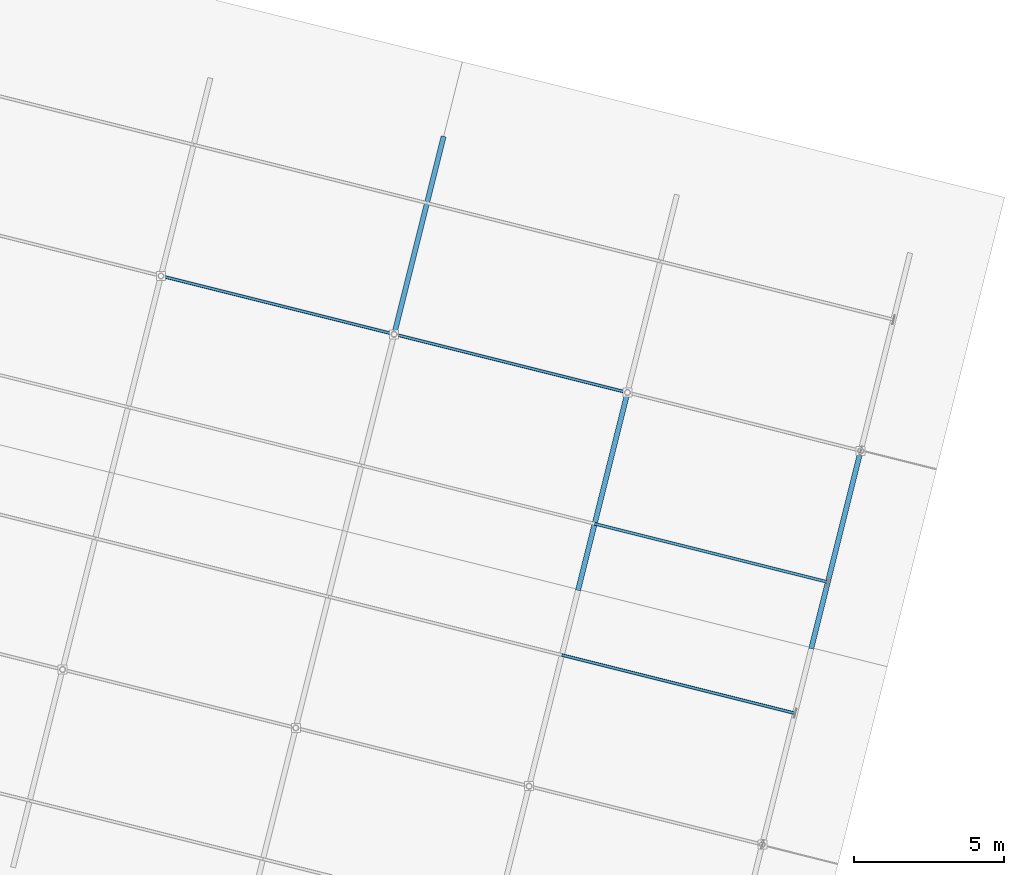
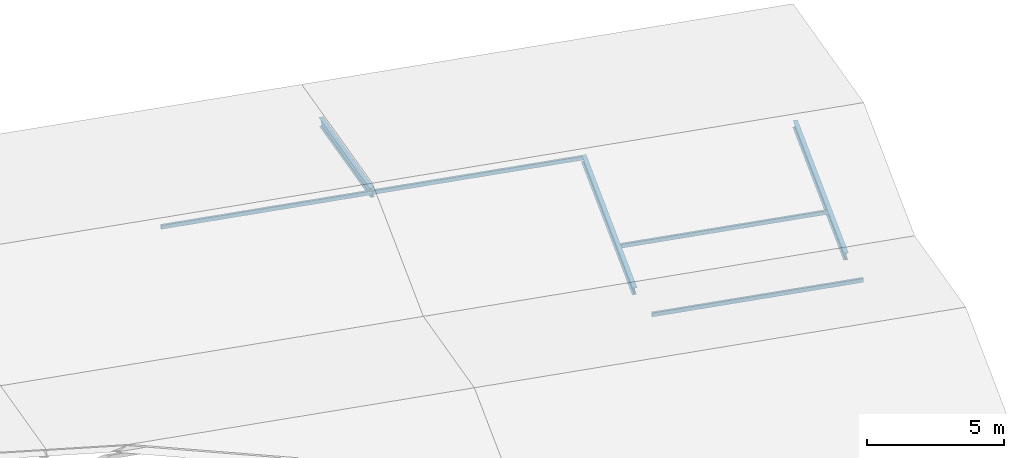
# One storey, part 66 of 107: 7 members.
"""IFC4 building model written with IfcOpenShell, lengths in metres."""

from ifc_helpers import new_model, si_unit, derived_unit, direction, frame, origin, origin_2d, place, context, subcontext, project, spatial, hollow_rectangle, i_section, extrude, material, material_profile, profile_set, type_object, element, save


model = new_model("IFC4")

# Units and contexts
model_context = context("Model", 3, precision=1e-05, world=origin(), true_north=direction((0.0, 1.0)))
body_context = subcontext(model_context, "Body", "Model", "MODEL_VIEW")
ifc_project = project(units=[si_unit("LENGTHUNIT", "METRE"), si_unit("AREAUNIT", "SQUARE_METRE"), si_unit("VOLUMEUNIT", "CUBIC_METRE"), si_unit("PLANEANGLEUNIT", "RADIAN"), si_unit("MASSUNIT", "GRAM", prefix="KILO"), si_unit("THERMODYNAMICTEMPERATUREUNIT", "KELVIN"), si_unit("TIMEUNIT", "SECOND"), derived_unit("THERMALTRANSMITTANCEUNIT", [(si_unit("MASSUNIT", "GRAM", prefix="KILO"), 1), (si_unit("THERMODYNAMICTEMPERATUREUNIT", "KELVIN"), -1), (si_unit("TIMEUNIT", "SECOND"), -3)])], contexts=[model_context])

# Site, building, storey
site_placement = place(None, origin())
site = spatial("IfcSite", under=ifc_project, at=site_placement, CompositionType="ELEMENT")
building_placement = place(site_placement, origin())
building = spatial("IfcBuilding", under=site, at=building_placement, Name="Cambertide Market Hall", CompositionType="ELEMENT")
storey_placement = place(building_placement, frame((0.0, 0.0, 18.300048828125)))
storey = spatial("IfcBuildingStorey", under=building, at=storey_placement, Name="RF", CompositionType="ELEMENT", Elevation=18.300048828125)

# Members
ifc_material_1 = material(Name="Steel S355", Category="steel")
ifc_material_profile_1 = material_profile(ifc_material_1, i_section(OverallWidth=0.169921875, OverallDepth=0.360107421875, WebThickness=0.008056640625, FlangeThickness=0.0126953125, FilletRadius=0.01806640625, at=origin_2d()), Name="IPE 360")
ifc_profile_set_1 = profile_set([ifc_material_profile_1], Name="Steel S355")
member_type_1 = type_object("IfcMemberType", Name="Radial Fan Rafter IPE 360", PredefinedType="RAFTER", material=ifc_profile_set_1)
for number, where, z_axis, x_axis, name in (
    (1, (159.478271484375, 108.003662109375, 1.003173828125), (0.237641829002, 0.950673643448, -0.199363950505), (-0.970148882494, 0.242510094215, 0.0), "RAF-V4-7-4"),
    (2, (165.602294921875, 99.514892578125, -0.3701171875), (0.237641829002, 0.950673643448, 0.199363950505), (-0.970148882494, 0.242510094215, 0.0), "RAF-V4-8-3"),
):
    element("IfcMember", number, at=place(storey_placement, frame(where, z_axis=z_axis, x_axis=x_axis)), inside=storey, type_object=member_type_1, Name=name, PredefinedType="RAFTER", context=body_context, shape_type="SweptSolid", body=[
        extrude(i_section(OverallWidth=0.169921875, OverallDepth=0.360107421875, WebThickness=0.008056640625, FlangeThickness=0.0126953125, FilletRadius=0.01806640625, at=origin_2d()), origin(), (0.0, 0.0, 1.0), 6.888427734375),
    ])
member_1_placement = place(storey_placement, frame((173.36328125, 97.57470703125, -0.3701171875), z_axis=(0.2376832779, 0.950662224848, 0.199368988695), x_axis=(-0.970138244761, 0.242552645939, 0.0)))
element("IfcMember", 3, at=member_1_placement, inside=storey, type_object=member_type_1, Name="RAF-V4-9-3", PredefinedType="RAFTER", context=body_context, shape_type="SweptSolid", body=[
    extrude(i_section(OverallWidth=0.169921875, OverallDepth=0.360107421875, WebThickness=0.008056640625, FlangeThickness=0.0126953125, FilletRadius=0.01806640625, at=origin_2d()), origin(), (0.0, 0.0, 1.0), 6.88818359375),
])
ifc_material_2 = material(Name="Steel S275", Category="steel")
ifc_material_profile_2 = material_profile(ifc_material_2, hollow_rectangle(XDim=0.10009765625, YDim=0.179931640625, WallThickness=0.00634765625, InnerFilletRadius=0.00634765625, OuterFilletRadius=0.0126953125, at=origin_2d()), Name="RHS 180x100x6.3")
ifc_profile_set_2 = profile_set([ifc_material_profile_2], Name="Steel S275")
member_type_2 = type_object("IfcMemberType", Name="Roof Purlin RHS 180x100x6.3", PredefinedType="PURLIN", material=ifc_profile_set_2)
member_2_placement = place(storey_placement, frame((151.717041015625, 109.94384765625, 1.033203125), z_axis=(0.970146090314, -0.242521263911, 0.0), x_axis=(0.242521263911, 0.970146090314, 0.0)))
element("IfcMember", 4, at=member_2_placement, inside=storey, type_object=member_type_2, Name="PUR-V4-6-202", PredefinedType="PURLIN", context=body_context, shape_type="SweptSolid", body=[
    extrude(hollow_rectangle(XDim=0.10009765625, YDim=0.179931640625, WallThickness=0.00634765625, InnerFilletRadius=0.00634765625, OuterFilletRadius=0.0126953125, at=origin_2d()), origin(), (0.0, 0.0, 1.0), 8.0),
])
member_3_placement = place(storey_placement, frame((159.478271484375, 108.003662109375, 1.033203125), z_axis=(0.970144295309, -0.242528444268, 0.0), x_axis=(0.242528444268, 0.970144295309, 0.0)))
element("IfcMember", 5, at=member_3_placement, inside=storey, type_object=member_type_2, Name="PUR-V4-7-202", PredefinedType="PURLIN", context=body_context, shape_type="SweptSolid", body=[
    extrude(hollow_rectangle(XDim=0.10009765625, YDim=0.179931640625, WallThickness=0.00634765625, InnerFilletRadius=0.00634765625, OuterFilletRadius=0.0126953125, at=origin_2d()), origin(), (0.0, 0.0, 1.0), 7.999755859375),
])
member_4_placement = place(storey_placement, frame((165.056396484375, 97.33203125, 0.11767578125), z_axis=(0.970146090314, -0.242521263911, 0.0), x_axis=(0.242521263911, 0.970146090314, 0.0)))
element("IfcMember", 6, at=member_4_placement, inside=storey, type_object=member_type_2, Name="PUR-V4-8-112", PredefinedType="PURLIN", context=body_context, shape_type="SweptSolid", body=[
    extrude(hollow_rectangle(XDim=0.10009765625, YDim=0.179931640625, WallThickness=0.00634765625, InnerFilletRadius=0.00634765625, OuterFilletRadius=0.0126953125, at=origin_2d()), origin(), (0.0, 0.0, 1.0), 8.0),
])
member_5_placement = place(storey_placement, frame((166.14794921875, 101.69775390625, 0.11767578125), z_axis=(0.970144295309, -0.242528444268, 0.0), x_axis=(0.242528444268, 0.970144295309, 0.0)))
element("IfcMember", 7, at=member_5_placement, inside=storey, type_object=member_type_2, Name="PUR-V4-8-157", PredefinedType="PURLIN", context=body_context, shape_type="SweptSolid", body=[
    extrude(hollow_rectangle(XDim=0.10009765625, YDim=0.179931640625, WallThickness=0.00634765625, InnerFilletRadius=0.00634765625, OuterFilletRadius=0.0126953125, at=origin_2d()), origin(), (0.0, 0.0, 1.0), 7.999755859375),
])

save(model, "model.ifc")
